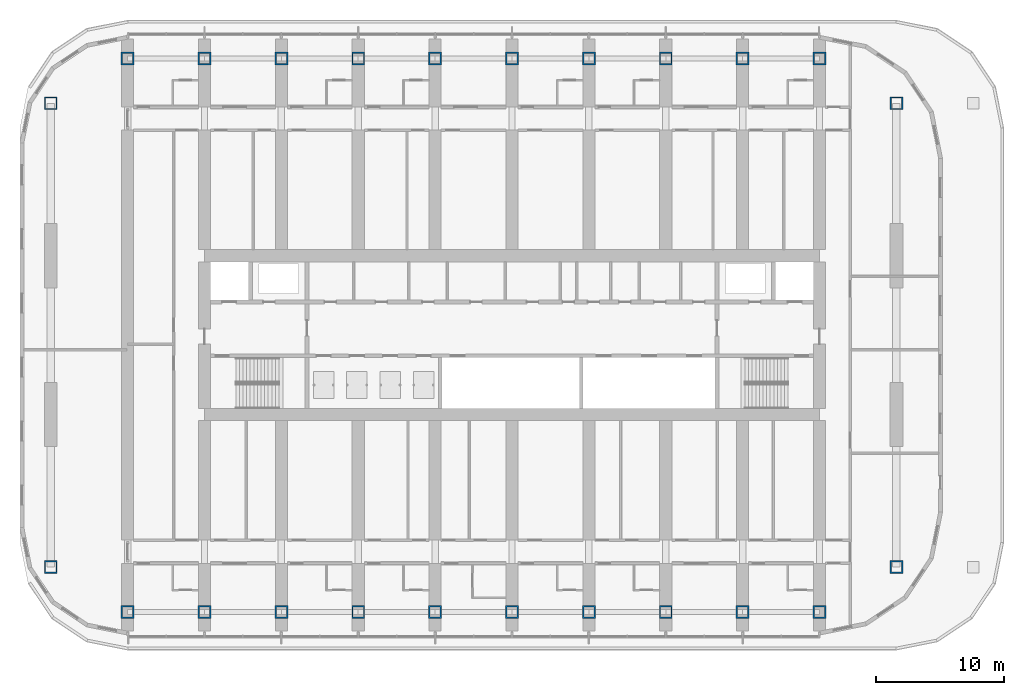
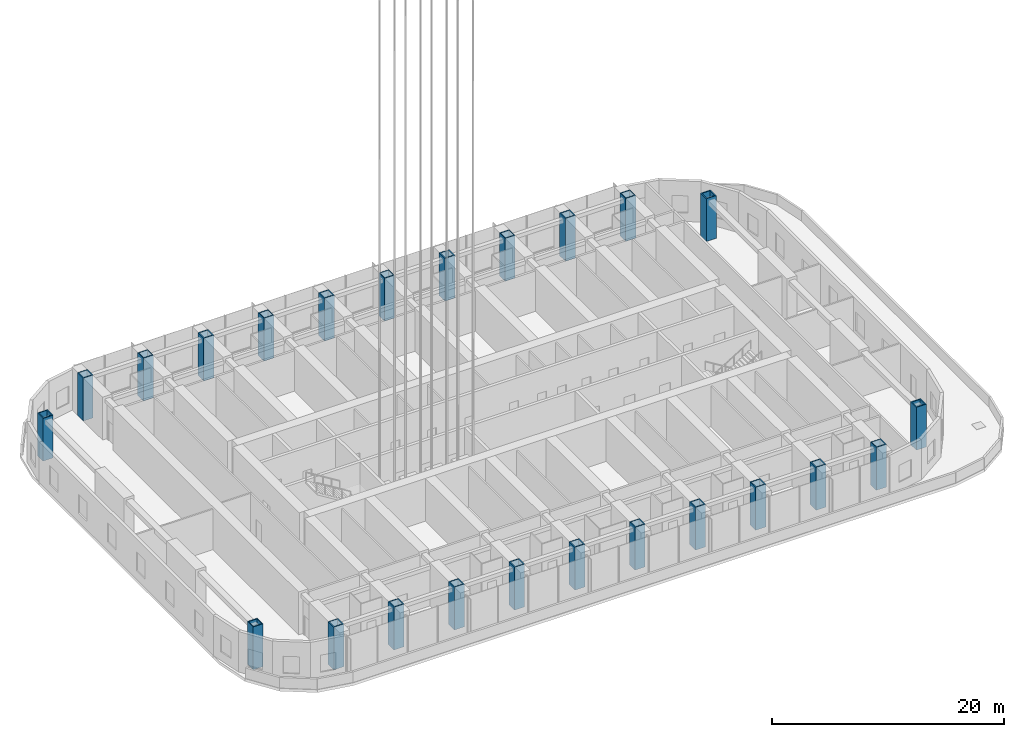
# One storey, part 1 of 31: 24 columns.
"""IFC4 building model written with IfcOpenShell, lengths in metres."""

from ifc_helpers import new_model, si_unit, direction, frame, origin, origin_2d, place, context, subcontext, project, spatial, hollow_rectangle, extrude, material, material_profile, profile_set, type_object, element, save


model = new_model("IFC4")

# Units and contexts
model_context = context("Model", 3, precision=1e-05, world=origin(), true_north=direction((0.0, 1.0)))
body_context = subcontext(model_context, "Body", "Model", "MODEL_VIEW")
ifc_project = project(units=[si_unit("LENGTHUNIT", "METRE"), si_unit("AREAUNIT", "SQUARE_METRE"), si_unit("VOLUMEUNIT", "CUBIC_METRE"), si_unit("PLANEANGLEUNIT", "RADIAN"), si_unit("MASSUNIT", "GRAM", prefix="KILO")], contexts=[model_context])

# Site, building, storey
site_placement = place(None, origin())
site = spatial("IfcSite", under=ifc_project, at=site_placement, CompositionType="ELEMENT")
building_placement = place(site_placement, origin())
building = spatial("IfcBuilding", under=site, at=building_placement, Name="Orbita Commons", CompositionType="ELEMENT")
storey_placement = place(building_placement, frame((0.0, 0.0, 76.14990234375)))
storey = spatial("IfcBuildingStorey", under=building, at=storey_placement, Name="L18", CompositionType="ELEMENT", Elevation=76.14990234375)

# Columns
ifc_material = material(Name="Steel ASTM A572 Gr 50 welded plate", Category="steel")
ifc_material_profile = material_profile(ifc_material, hollow_rectangle(XDim=1.0, YDim=1.0, WallThickness=0.10009765625, at=origin_2d()), Name="BOX 1000x1000x100")
ifc_profile_set = profile_set([ifc_material_profile], Name="Steel ASTM A572 Gr 50 welded plate")
column_type = type_object("IfcColumnType", Name="Steel column BOX 1000x1000x100", PredefinedType="COLUMN", material=ifc_profile_set)
for number, where, z_axis, x_axis, name in (
    (1, (12.0, 10.39990234375, 0.0), (0.0, 0.0, 1.0), (1.0, 0.0, 0.0), "Column 3/B L18"),
    (2, (12.0, 53.60009765625, 0.0), (0.0, 0.0, 1.0), (1.0, 0.0, 0.0), "Column 3/E L18"),
    (3, (18.0, 10.39990234375, 0.0), (0.0, 0.0, 1.0), (1.0, 0.0, 0.0), "Column 4/B L18"),
    (4, (18.0, 53.60009765625, 0.0), (0.0, 0.0, 1.0), (1.0, 0.0, 0.0), "Column 4/E L18"),
    (5, (24.0, 10.39990234375, 0.0), (0.0, 0.0, 1.0), (1.0, 0.0, 0.0), "Column 5/B L18"),
    (6, (24.0, 53.60009765625, 0.0), (0.0, 0.0, 1.0), (1.0, 0.0, 0.0), "Column 5/E L18"),
    (7, (30.0, 10.39990234375, 0.0), (0.0, 0.0, 1.0), (1.0, 0.0, 0.0), "Column 6/B L18"),
    (8, (30.0, 53.60009765625, 0.0), (0.0, 0.0, 1.0), (1.0, 0.0, 0.0), "Column 6/E L18"),
    (9, (36.0, 10.39990234375, 0.0), (0.0, 0.0, 1.0), (1.0, 0.0, 0.0), "Column 7/B L18"),
    (10, (36.0, 53.60009765625, 0.0), (0.0, 0.0, 1.0), (1.0, 0.0, 0.0), "Column 7/E L18"),
    (11, (42.0, 10.39990234375, 0.0), (0.0, 0.0, 1.0), (1.0, 0.0, 0.0), "Column 8/B L18"),
    (12, (42.0, 53.60009765625, 0.0), (0.0, 0.0, 1.0), (1.0, 0.0, 0.0), "Column 8/E L18"),
    (13, (48.0, 10.39990234375, 0.0), (0.0, 0.0, 1.0), (1.0, 0.0, 0.0), "Column 9/B L18"),
    (14, (48.0, 53.60009765625, 0.0), (0.0, 0.0, 1.0), (1.0, 0.0, 0.0), "Column 9/E L18"),
    (15, (54.0, 10.39990234375, 0.0), (0.0, 0.0, 1.0), (1.0, 0.0, 0.0), "Column 10/B L18"),
    (16, (54.0, 53.60009765625, 0.0), (0.0, 0.0, 1.0), (1.0, 0.0, 0.0), "Column 10/E L18"),
    (17, (60.0, 10.39990234375, 0.0), (0.0, 0.0, 1.0), (1.0, 0.0, 0.0), "Column 11/B L18"),
    (18, (60.0, 53.60009765625, 0.0), (0.0, 0.0, 1.0), (1.0, 0.0, 0.0), "Column 11/E L18"),
    (19, (66.0, 10.39990234375, 0.0), (0.0, 0.0, 1.0), (1.0, 0.0, 0.0), "Column 12/B L18"),
    (20, (66.0, 53.60009765625, 0.0), (0.0, 0.0, 1.0), (1.0, 0.0, 0.0), "Column 12/E L18"),
    (21, (6.0, 13.89990234375, 0.0), (0.0, 0.0, 1.0), (1.0, 0.0, 0.0), "Column 2/13.9 L18"),
    (22, (6.0, 50.10009765625, 0.0), (0.0, 0.0, 1.0), (1.0, 0.0, 0.0), "Column 2/50.1 L18"),
    (23, (72.0, 13.89990234375, 0.0), (0.0, 0.0, 1.0), (1.0, 0.0, 0.0), "Column 13/13.9 L18"),
    (24, (72.0, 50.10009765625, 0.0), (0.0, 0.0, 1.0), (1.0, 0.0, 0.0), "Column 13/50.1 L18"),
):
    element("IfcColumn", number, at=place(storey_placement, frame(where, z_axis=z_axis, x_axis=x_axis)), inside=storey, type_object=column_type, Name=name, PredefinedType="COLUMN", context=body_context, shape_type="SweptSolid", body=[
        extrude(hollow_rectangle(XDim=1.0, YDim=1.0, WallThickness=0.10009765625, at=origin_2d()), origin(), (0.0, 0.0, 1.0), 4.5),
    ])

save(model, "model.ifc")
